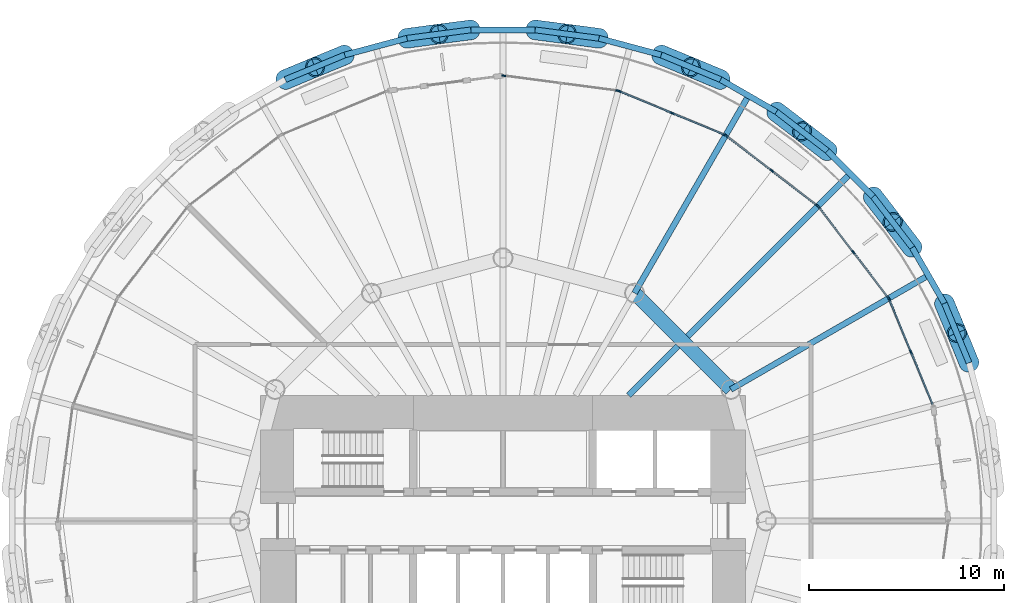
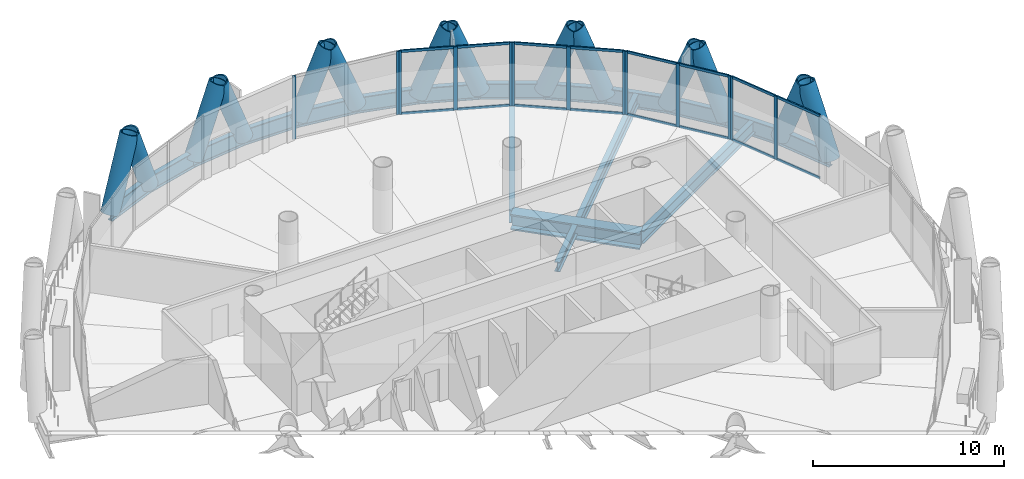
# One storey, part 7 of 15: 43 members, 18 beams, 5 elements without a shape of their own.
"""IFC4 building model written with IfcOpenShell, lengths in metres."""

from ifc_helpers import new_model, si_unit, direction, frame, origin, origin_2d, place, context, subcontext, project, spatial, rectangle, hollow_circle, i_section, extrude, material, material_profile, profile_set, type_object, element, aggregate, save


model = new_model("IFC4")

# Units and contexts
model_context = context("Model", 3, precision=1e-05, world=origin(), true_north=direction((0.0, 1.0)))
body_context = subcontext(model_context, "Body", "Model", "MODEL_VIEW")
ifc_project = project(units=[si_unit("LENGTHUNIT", "METRE"), si_unit("AREAUNIT", "SQUARE_METRE"), si_unit("VOLUMEUNIT", "CUBIC_METRE"), si_unit("PLANEANGLEUNIT", "RADIAN"), si_unit("MASSUNIT", "GRAM", prefix="KILO")], contexts=[model_context])

# Site, building, storey
site_placement = place(None, origin())
site = spatial("IfcSite", under=ifc_project, at=site_placement, CompositionType="ELEMENT")
building_placement = place(site_placement, origin())
building = spatial("IfcBuilding", under=site, at=building_placement, Name="Qaws Media Tower", CompositionType="ELEMENT")
storey_placement = place(building_placement, frame((0.0, 0.0, 114.199951171875)))
storey = spatial("IfcBuildingStorey", under=building, at=storey_placement, Name="L25", CompositionType="ELEMENT", Elevation=114.199951171875)

# Curtain wall, members
ifc_material_1 = material(Name="Aluminium and clear glass", Category="aluminium")
curtain_wall_type = type_object("IfcCurtainWallType", Name="Unitised curtain wall CW-B", PredefinedType="NOTDEFINED", material=ifc_material_1)
curtain_wall_1_placement = place(storey_placement, origin())
curtain_wall_1 = element("IfcCurtainWall", 1, at=curtain_wall_1_placement, inside=storey, type_object=curtain_wall_type, Name="CWB curtain wall L25-02", PredefinedType="NOTDEFINED")
ifc_material_2 = material(Name="Aluminium mullion", Category="aluminium")
ifc_material_profile_1 = material_profile(ifc_material_2, rectangle(XDim=0.080078125, YDim=0.199951171875, at=origin_2d()), Name="80x200")
ifc_profile_set_1 = profile_set([ifc_material_profile_1], Name="Aluminium mullion")
member_type_1 = type_object("IfcMemberType", Name="Curtain wall mullion 80x200", PredefinedType="MULLION", material=ifc_profile_set_1)
member_1_placement = place(storey_placement, frame((80.929931640625, 58.66943359375, 0.0), z_axis=(0.0, 0.0, 1.0), x_axis=(-0.923879516448, -0.382683471145, 0.0)))
member_1 = element("IfcMember", 2, at=member_1_placement, type_object=member_type_1, Name="CWB mullion 2", PredefinedType="MULLION", context=body_context, shape_type="SweptSolid", body=[
    extrude(rectangle(XDim=0.080078125, YDim=0.199951171875, at=origin_2d()), origin(), (0.0, 0.0, 1.0), 4.0400390625),
])
member_2_placement = place(storey_placement, frame((79.803955078125, 61.387939453125, 0.0), z_axis=(0.0, 0.0, 1.0), x_axis=(-0.923879516448, -0.382683471145, 0.0)))
member_2 = element("IfcMember", 3, at=member_2_placement, type_object=member_type_1, Name="CWB mullion 3", PredefinedType="MULLION", context=body_context, shape_type="SweptSolid", body=[
    extrude(rectangle(XDim=0.080078125, YDim=0.199951171875, at=origin_2d()), origin(), (0.0, 0.0, 1.0), 4.0400390625),
])

curtain_wall_2_placement = place(storey_placement, origin())
curtain_wall_2 = element("IfcCurtainWall", 4, at=curtain_wall_2_placement, inside=storey, type_object=curtain_wall_type, Name="CWB curtain wall L25-03", PredefinedType="NOTDEFINED")
member_3_placement = place(storey_placement, frame((79.764404296875, 61.456787109375, 0.0), z_axis=(0.0, 0.0, 1.0), x_axis=(-0.79335338601, -0.608761369427, 0.0)))
member_3 = element("IfcMember", 5, at=member_3_placement, type_object=member_type_1, Name="CWB mullion 1", PredefinedType="MULLION", context=body_context, shape_type="SweptSolid", body=[
    extrude(rectangle(XDim=0.080078125, YDim=0.199951171875, at=origin_2d()), origin(), (0.0, 0.0, 1.0), 4.0400390625),
])
member_4_placement = place(storey_placement, frame((77.97314453125, 63.791259765625, 0.0), z_axis=(0.0, 0.0, 1.0), x_axis=(-0.79335338601, -0.608761369427, 0.0)))
member_4 = element("IfcMember", 6, at=member_4_placement, type_object=member_type_1, Name="CWB mullion 2", PredefinedType="MULLION", context=body_context, shape_type="SweptSolid", body=[
    extrude(rectangle(XDim=0.080078125, YDim=0.199951171875, at=origin_2d()), origin(), (0.0, 0.0, 1.0), 4.0400390625),
])
member_5_placement = place(storey_placement, frame((76.181640625, 66.125732421875, 0.0), z_axis=(0.0, 0.0, 1.0), x_axis=(-0.79335338601, -0.608761369427, 0.0)))
member_5 = element("IfcMember", 7, at=member_5_placement, type_object=member_type_1, Name="CWB mullion 3", PredefinedType="MULLION", context=body_context, shape_type="SweptSolid", body=[
    extrude(rectangle(XDim=0.080078125, YDim=0.199951171875, at=origin_2d()), origin(), (0.0, 0.0, 1.0), 4.0400390625),
])

curtain_wall_3_placement = place(storey_placement, origin())
curtain_wall_3 = element("IfcCurtainWall", 8, at=curtain_wall_3_placement, inside=storey, type_object=curtain_wall_type, Name="CWB curtain wall L25-04", PredefinedType="NOTDEFINED")
member_6_placement = place(storey_placement, frame((76.125732421875, 66.181640625, 0.0), z_axis=(0.0, 0.0, 1.0), x_axis=(-0.608761369427, -0.79335338601, 0.0)))
member_6 = element("IfcMember", 9, at=member_6_placement, type_object=member_type_1, Name="CWB mullion 1", PredefinedType="MULLION", context=body_context, shape_type="SweptSolid", body=[
    extrude(rectangle(XDim=0.080078125, YDim=0.199951171875, at=origin_2d()), origin(), (0.0, 0.0, 1.0), 4.0400390625),
])
member_7_placement = place(storey_placement, frame((73.791259765625, 67.97314453125, 0.0), z_axis=(0.0, 0.0, 1.0), x_axis=(-0.608761369427, -0.79335338601, 0.0)))
member_7 = element("IfcMember", 10, at=member_7_placement, type_object=member_type_1, Name="CWB mullion 2", PredefinedType="MULLION", context=body_context, shape_type="SweptSolid", body=[
    extrude(rectangle(XDim=0.080078125, YDim=0.199951171875, at=origin_2d()), origin(), (0.0, 0.0, 1.0), 4.0400390625),
])
member_8_placement = place(storey_placement, frame((71.456787109375, 69.764404296875, 0.0), z_axis=(0.0, 0.0, 1.0), x_axis=(-0.608761369427, -0.79335338601, 0.0)))
member_8 = element("IfcMember", 11, at=member_8_placement, type_object=member_type_1, Name="CWB mullion 3", PredefinedType="MULLION", context=body_context, shape_type="SweptSolid", body=[
    extrude(rectangle(XDim=0.080078125, YDim=0.199951171875, at=origin_2d()), origin(), (0.0, 0.0, 1.0), 4.0400390625),
])

curtain_wall_4_placement = place(storey_placement, origin())
curtain_wall_4 = element("IfcCurtainWall", 12, at=curtain_wall_4_placement, inside=storey, type_object=curtain_wall_type, Name="CWB curtain wall L25-05", PredefinedType="NOTDEFINED")
member_9_placement = place(storey_placement, frame((71.387939453125, 69.803955078125, 0.0), z_axis=(0.0, 0.0, 1.0), x_axis=(-0.382683471145, -0.923879516448, 0.0)))
member_9 = element("IfcMember", 13, at=member_9_placement, type_object=member_type_1, Name="CWB mullion 1", PredefinedType="MULLION", context=body_context, shape_type="SweptSolid", body=[
    extrude(rectangle(XDim=0.080078125, YDim=0.199951171875, at=origin_2d()), origin(), (0.0, 0.0, 1.0), 4.0400390625),
])
member_10_placement = place(storey_placement, frame((68.66943359375, 70.929931640625, 0.0), z_axis=(0.0, 0.0, 1.0), x_axis=(-0.382683471145, -0.923879516448, 0.0)))
member_10 = element("IfcMember", 14, at=member_10_placement, type_object=member_type_1, Name="CWB mullion 2", PredefinedType="MULLION", context=body_context, shape_type="SweptSolid", body=[
    extrude(rectangle(XDim=0.080078125, YDim=0.199951171875, at=origin_2d()), origin(), (0.0, 0.0, 1.0), 4.0400390625),
])
member_11_placement = place(storey_placement, frame((65.950927734375, 72.05615234375, 0.0), z_axis=(0.0, 0.0, 1.0), x_axis=(-0.382683471145, -0.923879516448, 0.0)))
member_11 = element("IfcMember", 15, at=member_11_placement, type_object=member_type_1, Name="CWB mullion 3", PredefinedType="MULLION", context=body_context, shape_type="SweptSolid", body=[
    extrude(rectangle(XDim=0.080078125, YDim=0.199951171875, at=origin_2d()), origin(), (0.0, 0.0, 1.0), 4.0400390625),
])

curtain_wall_5_placement = place(storey_placement, origin())
curtain_wall_5 = element("IfcCurtainWall", 16, at=curtain_wall_5_placement, inside=storey, type_object=curtain_wall_type, Name="CWB curtain wall L25-06", PredefinedType="NOTDEFINED")
member_12_placement = place(storey_placement, frame((65.874267578125, 72.07666015625, 0.0), z_axis=(0.0, 0.0, 1.0), x_axis=(-0.130526217674, -0.991444858023, 0.0)))
member_12 = element("IfcMember", 17, at=member_12_placement, type_object=member_type_1, Name="CWB mullion 1", PredefinedType="MULLION", context=body_context, shape_type="SweptSolid", body=[
    extrude(rectangle(XDim=0.080078125, YDim=0.199951171875, at=origin_2d()), origin(), (0.0, 0.0, 1.0), 4.0400390625),
])
member_13_placement = place(storey_placement, frame((60.03955078125, 72.8447265625, 0.0), z_axis=(0.0, 0.0, 1.0), x_axis=(-0.130526217674, -0.991444858023, 0.0)))
member_13 = element("IfcMember", 18, at=member_13_placement, type_object=member_type_1, Name="CWB mullion 3", PredefinedType="MULLION", context=body_context, shape_type="SweptSolid", body=[
    extrude(rectangle(XDim=0.080078125, YDim=0.199951171875, at=origin_2d()), origin(), (0.0, 0.0, 1.0), 4.0400390625),
])
aggregate(curtain_wall_5, [member_12, member_13])

# Member
ifc_material_3 = material(Name="Aluminium transom", Category="aluminium")
ifc_material_profile_2 = material_profile(ifc_material_3, rectangle(XDim=0.080078125, YDim=0.159912109375, at=origin_2d()), Name="80x160")
ifc_profile_set_2 = profile_set([ifc_material_profile_2], Name="Aluminium transom")
member_type_2 = type_object("IfcMemberType", Name="Curtain wall transom 80x160", PredefinedType="USERDEFINED", material=ifc_profile_set_2)
member_14_placement = place(storey_placement, frame((82.040771484375, 55.988037109375, 0.0400390625), z_axis=(-0.382700809207, 0.923872334596, 0.0), x_axis=(-0.923872334596, -0.382700809207, 0.0)))
member_14 = element("IfcMember", 19, at=member_14_placement, type_object=member_type_2, Name="CWB transom 1.1", ObjectType="TRANSOM", PredefinedType="USERDEFINED", context=body_context, shape_type="SweptSolid", body=[
    extrude(rectangle(XDim=0.080078125, YDim=0.159912109375, at=origin_2d()), origin(), (0.0, 0.0, 1.0), 2.862548828125),
])

member_15_placement = place(storey_placement, frame((82.040771484375, 55.988037109375, 4.0), z_axis=(-0.382700809207, 0.923872334596, 0.0), x_axis=(-0.923872334596, -0.382700809207, 0.0)))
member_15 = element("IfcMember", 20, at=member_15_placement, type_object=member_type_2, Name="CWB transom 1.2", ObjectType="TRANSOM", PredefinedType="USERDEFINED", context=body_context, shape_type="SweptSolid", body=[
    extrude(rectangle(XDim=0.080078125, YDim=0.159912109375, at=origin_2d()), origin(), (0.0, 0.0, 1.0), 2.862548828125),
])

member_16_placement = place(storey_placement, frame((80.914794921875, 58.70654296875, 0.0400390625), z_axis=(-0.382700809207, 0.923872334596, 0.0), x_axis=(-0.923872334596, -0.382700809207, 0.0)))
member_16 = element("IfcMember", 21, at=member_16_placement, type_object=member_type_2, Name="CWB transom 2.1", ObjectType="TRANSOM", PredefinedType="USERDEFINED", context=body_context, shape_type="SweptSolid", body=[
    extrude(rectangle(XDim=0.080078125, YDim=0.159912109375, at=origin_2d()), origin(), (0.0, 0.0, 1.0), 2.862548828125),
])

member_17_placement = place(storey_placement, frame((80.914794921875, 58.70654296875, 4.0), z_axis=(-0.382700809207, 0.923872334596, 0.0), x_axis=(-0.923872334596, -0.382700809207, 0.0)))
member_17 = element("IfcMember", 22, at=member_17_placement, type_object=member_type_2, Name="CWB transom 2.2", ObjectType="TRANSOM", PredefinedType="USERDEFINED", context=body_context, shape_type="SweptSolid", body=[
    extrude(rectangle(XDim=0.080078125, YDim=0.159912109375, at=origin_2d()), origin(), (0.0, 0.0, 1.0), 2.862548828125),
])

aggregate(curtain_wall_1, [member_1, member_2, member_14, member_15, member_16, member_17])

member_18_placement = place(storey_placement, frame((79.739990234375, 61.488525390625, 0.0400390625), z_axis=(-0.608778840543, 0.793339979648, 0.0), x_axis=(-0.793339979648, -0.608778840543, 0.0)))
member_18 = element("IfcMember", 23, at=member_18_placement, type_object=member_type_2, Name="CWB transom 1.1", ObjectType="TRANSOM", PredefinedType="USERDEFINED", context=body_context, shape_type="SweptSolid", body=[
    extrude(rectangle(XDim=0.080078125, YDim=0.159912109375, at=origin_2d()), origin(), (0.0, 0.0, 1.0), 2.862548828125),
])

member_19_placement = place(storey_placement, frame((79.739990234375, 61.488525390625, 4.0), z_axis=(-0.608778840543, 0.793339979648, 0.0), x_axis=(-0.793339979648, -0.608778840543, 0.0)))
member_19 = element("IfcMember", 24, at=member_19_placement, type_object=member_type_2, Name="CWB transom 1.2", ObjectType="TRANSOM", PredefinedType="USERDEFINED", context=body_context, shape_type="SweptSolid", body=[
    extrude(rectangle(XDim=0.080078125, YDim=0.159912109375, at=origin_2d()), origin(), (0.0, 0.0, 1.0), 2.862548828125),
])

member_20_placement = place(storey_placement, frame((77.94873046875, 63.822998046875, 0.0400390625), z_axis=(-0.608778840543, 0.793339979648, 0.0), x_axis=(-0.793339979648, -0.608778840543, 0.0)))
member_20 = element("IfcMember", 25, at=member_20_placement, type_object=member_type_2, Name="CWB transom 2.1", ObjectType="TRANSOM", PredefinedType="USERDEFINED", context=body_context, shape_type="SweptSolid", body=[
    extrude(rectangle(XDim=0.080078125, YDim=0.159912109375, at=origin_2d()), origin(), (0.0, 0.0, 1.0), 2.862548828125),
])

member_21_placement = place(storey_placement, frame((77.94873046875, 63.822998046875, 4.0), z_axis=(-0.608778840543, 0.793339979648, 0.0), x_axis=(-0.793339979648, -0.608778840543, 0.0)))
member_21 = element("IfcMember", 26, at=member_21_placement, type_object=member_type_2, Name="CWB transom 2.2", ObjectType="TRANSOM", PredefinedType="USERDEFINED", context=body_context, shape_type="SweptSolid", body=[
    extrude(rectangle(XDim=0.080078125, YDim=0.159912109375, at=origin_2d()), origin(), (0.0, 0.0, 1.0), 2.862548828125),
])

aggregate(curtain_wall_2, [member_3, member_4, member_5, member_18, member_19, member_20, member_21])

member_22_placement = place(storey_placement, frame((76.093994140625, 66.2060546875, 0.0400390625), z_axis=(-0.793339979648, 0.608778840543, 0.0), x_axis=(-0.608778840543, -0.793339979648, 0.0)))
member_22 = element("IfcMember", 27, at=member_22_placement, type_object=member_type_2, Name="CWB transom 1.1", ObjectType="TRANSOM", PredefinedType="USERDEFINED", context=body_context, shape_type="SweptSolid", body=[
    extrude(rectangle(XDim=0.080078125, YDim=0.159912109375, at=origin_2d()), origin(), (0.0, 0.0, 1.0), 2.862548828125),
])

member_23_placement = place(storey_placement, frame((76.093994140625, 66.2060546875, 4.0), z_axis=(-0.793339979648, 0.608778840543, 0.0), x_axis=(-0.608778840543, -0.793339979648, 0.0)))
member_23 = element("IfcMember", 28, at=member_23_placement, type_object=member_type_2, Name="CWB transom 1.2", ObjectType="TRANSOM", PredefinedType="USERDEFINED", context=body_context, shape_type="SweptSolid", body=[
    extrude(rectangle(XDim=0.080078125, YDim=0.159912109375, at=origin_2d()), origin(), (0.0, 0.0, 1.0), 2.862548828125),
])

member_24_placement = place(storey_placement, frame((73.759521484375, 67.997314453125, 0.0400390625), z_axis=(-0.793339979648, 0.608778840543, 0.0), x_axis=(-0.608778840543, -0.793339979648, 0.0)))
member_24 = element("IfcMember", 29, at=member_24_placement, type_object=member_type_2, Name="CWB transom 2.1", ObjectType="TRANSOM", PredefinedType="USERDEFINED", context=body_context, shape_type="SweptSolid", body=[
    extrude(rectangle(XDim=0.080078125, YDim=0.159912109375, at=origin_2d()), origin(), (0.0, 0.0, 1.0), 2.862548828125),
])

member_25_placement = place(storey_placement, frame((73.759521484375, 67.997314453125, 4.0), z_axis=(-0.793339979648, 0.608778840543, 0.0), x_axis=(-0.608778840543, -0.793339979648, 0.0)))
member_25 = element("IfcMember", 30, at=member_25_placement, type_object=member_type_2, Name="CWB transom 2.2", ObjectType="TRANSOM", PredefinedType="USERDEFINED", context=body_context, shape_type="SweptSolid", body=[
    extrude(rectangle(XDim=0.080078125, YDim=0.159912109375, at=origin_2d()), origin(), (0.0, 0.0, 1.0), 2.862548828125),
])

aggregate(curtain_wall_3, [member_6, member_7, member_8, member_22, member_23, member_24, member_25])

member_26_placement = place(storey_placement, frame((71.35107421875, 69.8193359375, 0.0400390625), z_axis=(-0.923872334596, 0.382700809207, 0.0), x_axis=(-0.382700809207, -0.923872334596, 0.0)))
member_26 = element("IfcMember", 31, at=member_26_placement, type_object=member_type_2, Name="CWB transom 1.1", ObjectType="TRANSOM", PredefinedType="USERDEFINED", context=body_context, shape_type="SweptSolid", body=[
    extrude(rectangle(XDim=0.080078125, YDim=0.159912109375, at=origin_2d()), origin(), (0.0, 0.0, 1.0), 2.862548828125),
])

member_27_placement = place(storey_placement, frame((71.35107421875, 69.8193359375, 4.0), z_axis=(-0.923872334596, 0.382700809207, 0.0), x_axis=(-0.382700809207, -0.923872334596, 0.0)))
member_27 = element("IfcMember", 32, at=member_27_placement, type_object=member_type_2, Name="CWB transom 1.2", ObjectType="TRANSOM", PredefinedType="USERDEFINED", context=body_context, shape_type="SweptSolid", body=[
    extrude(rectangle(XDim=0.080078125, YDim=0.159912109375, at=origin_2d()), origin(), (0.0, 0.0, 1.0), 2.862548828125),
])

member_28_placement = place(storey_placement, frame((68.632568359375, 70.9453125, 0.0400390625), z_axis=(-0.923872334596, 0.382700809207, 0.0), x_axis=(-0.382700809207, -0.923872334596, 0.0)))
member_28 = element("IfcMember", 33, at=member_28_placement, type_object=member_type_2, Name="CWB transom 2.1", ObjectType="TRANSOM", PredefinedType="USERDEFINED", context=body_context, shape_type="SweptSolid", body=[
    extrude(rectangle(XDim=0.080078125, YDim=0.159912109375, at=origin_2d()), origin(), (0.0, 0.0, 1.0), 2.862548828125),
])

member_29_placement = place(storey_placement, frame((68.632568359375, 70.9453125, 4.0), z_axis=(-0.923872334596, 0.382700809207, 0.0), x_axis=(-0.382700809207, -0.923872334596, 0.0)))
member_29 = element("IfcMember", 34, at=member_29_placement, type_object=member_type_2, Name="CWB transom 2.2", ObjectType="TRANSOM", PredefinedType="USERDEFINED", context=body_context, shape_type="SweptSolid", body=[
    extrude(rectangle(XDim=0.080078125, YDim=0.159912109375, at=origin_2d()), origin(), (0.0, 0.0, 1.0), 2.862548828125),
])

aggregate(curtain_wall_4, [member_9, member_10, member_11, member_26, member_27, member_28, member_29])

# Members
ifc_material_4 = material(Name="Steel S460", Category="steel")
ifc_material_profile_3 = material_profile(ifc_material_4, hollow_circle(Radius=0.508056640625, WallThickness=0.070068359375, at=origin_2d()), Name="CHS 1016x70")
ifc_profile_set_3 = profile_set([ifc_material_profile_3], Name="Steel S460")
member_type_3 = type_object("IfcMemberType", Name="Diagrid member CHS 1016x70", PredefinedType="USERDEFINED", material=ifc_profile_set_3)
for number, where, z_axis, x_axis, name in (
    (35, (83.909912109375, 58.116455078125, -0.6640625), (-0.139188290236, 0.338368735106, 0.930662784774), (-0.924812769409, -0.380422582844, 0.0), "DG3 diagrid L25 A02"),
    (36, (80.99462890625, 64.028076171875, -0.6640625), (-0.22205715158, 0.290865116698, 0.930638547085), (-0.794844296528, -0.606813434489, 0.0), "DG3 diagrid L25 A03"),
    (37, (82.64599609375, 61.167724609375, -0.6640625), (0.140863091213, -0.337714392643, 0.930648472054), (0.922932522348, 0.384961763286, 0.0), "DG3 diagrid L25 B03"),
    (38, (76.6484375, 68.98388671875, -0.6640625), (-0.289733908124, 0.223467284253, 0.930653875161), (-0.610731952352, -0.791837409053, 0.0), "DG3 diagrid L25 A04"),
    (39, (78.98388671875, 66.6484375, -0.6640625), (0.223467284253, -0.289733908124, 0.930653875161), (0.791837409053, 0.610731952352, 0.0), "DG3 diagrid L25 B04"),
    (40, (71.167724609375, 72.64599609375, -0.6640625), (-0.337714392643, 0.140863091213, 0.930648472054), (-0.384961763286, -0.922932522348, 0.0), "DG3 diagrid L25 A05"),
    (41, (74.028076171875, 70.99462890625, -0.6640625), (0.290865116698, -0.22205715158, 0.930638547085), (0.606813434489, 0.794844296528, 0.0), "DG3 diagrid L25 B05"),
    (42, (64.926025390625, 74.764892578125, -0.6640625), (-0.362654284432, 0.048631593333, 0.930653984095), (-0.13290934524, -0.991128198543, 0.0), "DG3 diagrid L25 A06"),
    (43, (68.116455078125, 73.909912109375, -0.6640625), (0.338368735106, -0.139188290236, 0.930662784774), (0.380422582844, 0.924812769409, 0.0), "DG3 diagrid L25 B06"),
    (44, (58.3486328125, 75.196044921875, -0.6640625), (-0.362919156842, -0.046899822475, 0.930639614593), (0.128163642951, -0.991753034089, 0.0), "DG3 diagrid L25 A07"),
    (45, (61.6513671875, 75.196044921875, -0.6640625), (0.362919156842, -0.046899822475, 0.930639614593), (0.128163642951, 0.991753034089, 0.0), "DG3 diagrid L25 B07"),
    (46, (51.883544921875, 73.909912109375, -0.6640625), (-0.338368735106, -0.139188290236, 0.930662784774), (0.380422582844, -0.924812769409, 0.0), "DG3 diagrid L25 A08"),
    (47, (55.073974609375, 74.764892578125, -0.6640625), (0.362654284432, 0.048631593333, 0.930653984095), (-0.13290934524, 0.991128198543, 0.0), "DG3 diagrid L25 B08"),
    (48, (48.832275390625, 72.64599609375, -0.6640625), (0.337714392643, 0.140863091213, 0.930648472054), (-0.384961763286, 0.922932522348, 0.0), "DG3 diagrid L25 B09"),
):
    element("IfcMember", number, at=place(storey_placement, frame(where, z_axis=z_axis, x_axis=x_axis)), inside=storey, type_object=member_type_3, Name=name, ObjectType="DIAGRID", PredefinedType="USERDEFINED", context=body_context, shape_type="SweptSolid", body=[
        extrude(hollow_circle(Radius=0.508056640625, WallThickness=0.070068359375, at=origin_2d()), origin(), (0.0, 0.0, 1.0), 4.51318359375),
    ])

# Beams
ifc_material_5 = material(Name="Steel S460", Category="steel")
ifc_material_profile_4 = material_profile(ifc_material_5, i_section(OverallWidth=0.302001953125, OverallDepth=1.008056640625, WebThickness=0.02099609375, FlangeThickness=0.0400390625, FilletRadius=0.030029296875, at=origin_2d()), Name="HE 1000 M")
ifc_profile_set_4 = profile_set([ifc_material_profile_4], Name="Steel S460")
beam_type_1 = type_object("IfcBeamType", Name="Edge ring beam HE 1000 M", PredefinedType="BEAM", material=ifc_profile_set_4)
for number, where, z_axis, x_axis, name in (
    (49, (83.909912109375, 58.116455078125, -0.6640625), (-0.382693458177, 0.92387537962, 0.0), (-0.92387537962, -0.382693458177, 0.0), "RB3 edge ring beam L25-03"),
    (50, (82.64599609375, 61.167724609375, -0.6640625), (-0.499986929959, 0.866032949645, 0.0), (-0.866032949645, -0.499986929959, 0.0), "RB3 edge ring beam L25-04"),
):
    element("IfcBeam", number, at=place(storey_placement, frame(where, z_axis=z_axis, x_axis=x_axis)), inside=storey, type_object=beam_type_1, Name=name, PredefinedType="BEAM", context=body_context, shape_type="SweptSolid", body=[
        extrude(i_section(OverallWidth=0.302001953125, OverallDepth=1.008056640625, WebThickness=0.02099609375, FlangeThickness=0.0400390625, FilletRadius=0.030029296875, at=origin_2d()), origin(), (0.0, 0.0, 1.0), 3.302734375),
    ])
beam_1_placement = place(storey_placement, frame((80.99462890625, 64.028076171875, -0.6640625), z_axis=(-0.608774429392, 0.793343364577, 0.0), x_axis=(-0.793343364577, -0.608774429392, 0.0)))
element("IfcBeam", 51, at=beam_1_placement, inside=storey, type_object=beam_type_1, Name="RB3 edge ring beam L25-05", PredefinedType="BEAM", context=body_context, shape_type="SweptSolid", body=[
    extrude(i_section(OverallWidth=0.302001953125, OverallDepth=1.008056640625, WebThickness=0.02099609375, FlangeThickness=0.0400390625, FilletRadius=0.030029296875, at=origin_2d()), origin(), (0.0, 0.0, 1.0), 3.302978515625),
])
beam_2_placement = place(storey_placement, frame((78.98388671875, 66.6484375, -0.6640625), z_axis=(-0.707106781187, 0.707106781187, 0.0), x_axis=(-0.707106781187, -0.707106781187, 0.0)))
element("IfcBeam", 52, at=beam_2_placement, inside=storey, type_object=beam_type_1, Name="RB3 edge ring beam L25-06", PredefinedType="BEAM", context=body_context, shape_type="SweptSolid", body=[
    extrude(i_section(OverallWidth=0.302001953125, OverallDepth=1.008056640625, WebThickness=0.02099609375, FlangeThickness=0.0400390625, FilletRadius=0.030029296875, at=origin_2d()), origin(), (0.0, 0.0, 1.0), 3.302734375),
])
beam_3_placement = place(storey_placement, frame((76.6484375, 68.98388671875, -0.6640625), z_axis=(-0.793343364577, 0.608774429392, 0.0), x_axis=(-0.608774429392, -0.793343364577, 0.0)))
element("IfcBeam", 53, at=beam_3_placement, inside=storey, type_object=beam_type_1, Name="RB3 edge ring beam L25-07", PredefinedType="BEAM", context=body_context, shape_type="SweptSolid", body=[
    extrude(i_section(OverallWidth=0.302001953125, OverallDepth=1.008056640625, WebThickness=0.02099609375, FlangeThickness=0.0400390625, FilletRadius=0.030029296875, at=origin_2d()), origin(), (0.0, 0.0, 1.0), 3.302978515625),
])
for number, where, z_axis, x_axis, name in (
    (54, (74.028076171875, 70.99462890625, -0.6640625), (-0.866032949645, 0.499986929959, 0.0), (-0.499986929959, -0.866032949645, 0.0), "RB3 edge ring beam L25-08"),
    (55, (71.167724609375, 72.64599609375, -0.6640625), (-0.92387537962, 0.382693458177, 0.0), (-0.382693458177, -0.92387537962, 0.0), "RB3 edge ring beam L25-09"),
):
    element("IfcBeam", number, at=place(storey_placement, frame(where, z_axis=z_axis, x_axis=x_axis)), inside=storey, type_object=beam_type_1, Name=name, PredefinedType="BEAM", context=body_context, shape_type="SweptSolid", body=[
        extrude(i_section(OverallWidth=0.302001953125, OverallDepth=1.008056640625, WebThickness=0.02099609375, FlangeThickness=0.0400390625, FilletRadius=0.030029296875, at=origin_2d()), origin(), (0.0, 0.0, 1.0), 3.302734375),
    ])
for number, where, z_axis, x_axis, name in (
    (56, (68.116455078125, 73.909912109375, -0.6640625), (-0.965917696055, 0.258849385643, 0.0), (-0.258849385643, -0.965917696055, 0.0), "RB3 edge ring beam L25-10"),
    (57, (64.926025390625, 74.764892578125, -0.6640625), (-0.991443473841, 0.130536731142, 0.0), (-0.130536731142, -0.991443473841, 0.0), "RB3 edge ring beam L25-11"),
):
    element("IfcBeam", number, at=place(storey_placement, frame(where, z_axis=z_axis, x_axis=x_axis)), inside=storey, type_object=beam_type_1, Name=name, PredefinedType="BEAM", context=body_context, shape_type="SweptSolid", body=[
        extrude(i_section(OverallWidth=0.302001953125, OverallDepth=1.008056640625, WebThickness=0.02099609375, FlangeThickness=0.0400390625, FilletRadius=0.030029296875, at=origin_2d()), origin(), (0.0, 0.0, 1.0), 3.302978515625),
    ])
beam_4_placement = place(storey_placement, frame((61.6513671875, 75.196044921875, -0.6640625), z_axis=(-1.0, 0.0, 0.0), x_axis=(0.0, -1.0, 0.0)))
element("IfcBeam", 58, at=beam_4_placement, inside=storey, type_object=beam_type_1, Name="RB3 edge ring beam L25-12", PredefinedType="BEAM", context=body_context, shape_type="SweptSolid", body=[
    extrude(i_section(OverallWidth=0.302001953125, OverallDepth=1.008056640625, WebThickness=0.02099609375, FlangeThickness=0.0400390625, FilletRadius=0.030029296875, at=origin_2d()), origin(), (0.0, 0.0, 1.0), 3.302734375),
])
for number, where, z_axis, x_axis, name in (
    (59, (58.3486328125, 75.196044921875, -0.6640625), (-0.991443473841, -0.130536731142, 0.0), (0.130536731142, -0.991443473841, 0.0), "RB3 edge ring beam L25-13"),
    (60, (55.073974609375, 74.764892578125, -0.6640625), (-0.965917696055, -0.258849385643, 0.0), (0.258849385643, -0.965917696055, 0.0), "RB3 edge ring beam L25-14"),
):
    element("IfcBeam", number, at=place(storey_placement, frame(where, z_axis=z_axis, x_axis=x_axis)), inside=storey, type_object=beam_type_1, Name=name, PredefinedType="BEAM", context=body_context, shape_type="SweptSolid", body=[
        extrude(i_section(OverallWidth=0.302001953125, OverallDepth=1.008056640625, WebThickness=0.02099609375, FlangeThickness=0.0400390625, FilletRadius=0.030029296875, at=origin_2d()), origin(), (0.0, 0.0, 1.0), 3.302978515625),
    ])
beam_5_placement = place(storey_placement, frame((51.883544921875, 73.909912109375, -0.6640625), z_axis=(-0.92387537962, -0.382693458177, 0.0), x_axis=(0.382693458177, -0.92387537962, 0.0)))
element("IfcBeam", 61, at=beam_5_placement, inside=storey, type_object=beam_type_1, Name="RB3 edge ring beam L25-15", PredefinedType="BEAM", context=body_context, shape_type="SweptSolid", body=[
    extrude(i_section(OverallWidth=0.302001953125, OverallDepth=1.008056640625, WebThickness=0.02099609375, FlangeThickness=0.0400390625, FilletRadius=0.030029296875, at=origin_2d()), origin(), (0.0, 0.0, 1.0), 3.302734375),
])
ifc_material_6 = material(Name="Steel S460", Category="steel")
ifc_material_profile_5 = material_profile(ifc_material_6, i_section(OverallWidth=0.699951171875, OverallDepth=1.0, WebThickness=0.034912109375, FlangeThickness=0.090087890625, at=origin_2d()), Name="PG 1000x700")
ifc_profile_set_5 = profile_set([ifc_material_profile_5], Name="Steel S460")
beam_type_2 = type_object("IfcBeamType", Name="Inner ring girder PG 1000x700", PredefinedType="BEAM", material=ifc_profile_set_5)
beam_6_placement = place(storey_placement, frame((71.69140625, 56.75, -0.659912109375), z_axis=(-0.707106781187, 0.707106781187, 0.0), x_axis=(-0.707106781187, -0.707106781187, 0.0)))
element("IfcBeam", 62, at=beam_6_placement, inside=storey, type_object=beam_type_2, Name="B3 inner ring beam L25 I02-I03", PredefinedType="BEAM", context=body_context, shape_type="SweptSolid", body=[
    extrude(i_section(OverallWidth=0.699951171875, OverallDepth=1.0, WebThickness=0.034912109375, FlangeThickness=0.090087890625, at=origin_2d()), origin(), (0.0, 0.0, 1.0), 6.98828125),
])
ifc_material_7 = material(Name="Steel S355", Category="steel")
ifc_material_profile_6 = material_profile(ifc_material_7, i_section(OverallWidth=0.304931640625, OverallDepth=0.6201171875, WebThickness=0.02099609375, FlangeThickness=0.0400390625, FilletRadius=0.027099609375, at=origin_2d()), Name="HE 600 M")
ifc_profile_set_6 = profile_set([ifc_material_profile_6], Name="Steel S355")
beam_type_3 = type_object("IfcBeamType", Name="Radial beam HE 600 M, core side", PredefinedType="BEAM", material=ifc_profile_set_6)
beam_7_placement = place(storey_placement, frame((66.449951171875, 56.449951171875, -0.469970703125), z_axis=(0.707106781187, 0.707106781187, 0.0), x_axis=(-0.707106781187, 0.707106781187, 0.0)))
element("IfcBeam", 63, at=beam_7_placement, inside=storey, type_object=beam_type_3, Name="B2 radial beam L25 04", PredefinedType="BEAM", context=body_context, shape_type="SweptSolid", body=[
    extrude(i_section(OverallWidth=0.304931640625, OverallDepth=0.6201171875, WebThickness=0.02099609375, FlangeThickness=0.0400390625, FilletRadius=0.027099609375, at=origin_2d()), origin(), (0.0, 0.0, 1.0), 3.568359375),
])
ifc_material_8 = material(Name="Steel S355", Category="steel")
ifc_material_profile_7 = material_profile(ifc_material_8, i_section(OverallWidth=0.300048828125, OverallDepth=0.800048828125, WebThickness=0.017578125, FlangeThickness=0.032958984375, FilletRadius=0.030029296875, at=origin_2d()), Name="HE 800 B")
ifc_profile_set_7 = profile_set([ifc_material_profile_7], Name="Steel S355")
beam_type_4 = type_object("IfcBeamType", Name="Radial beam HE 800 B", PredefinedType="BEAM", material=ifc_profile_set_7)
beam_8_placement = place(storey_placement, frame((71.69140625, 56.75, -0.56005859375), z_axis=(0.866026379682, 0.499998309692, 0.0), x_axis=(-0.499998309692, 0.866026379682, 0.0)))
element("IfcBeam", 64, at=beam_8_placement, inside=storey, type_object=beam_type_4, Name="B1 radial beam L25 03", PredefinedType="BEAM", context=body_context, shape_type="SweptSolid", body=[
    extrude(i_section(OverallWidth=0.300048828125, OverallDepth=0.800048828125, WebThickness=0.017578125, FlangeThickness=0.032958984375, FilletRadius=0.030029296875, at=origin_2d()), origin(), (0.0, 0.0, 1.0), 11.69580078125),
])
beam_9_placement = place(storey_placement, frame((69.46826171875, 59.46826171875, -0.56005859375), z_axis=(0.707106781187, 0.707106781187, 0.0), x_axis=(-0.707106781187, 0.707106781187, 0.0)))
element("IfcBeam", 65, at=beam_9_placement, inside=storey, type_object=beam_type_4, Name="B1 radial beam L25 04", PredefinedType="BEAM", context=body_context, shape_type="SweptSolid", body=[
    extrude(i_section(OverallWidth=0.300048828125, OverallDepth=0.800048828125, WebThickness=0.017578125, FlangeThickness=0.032958984375, FilletRadius=0.030029296875, at=origin_2d()), origin(), (0.0, 0.0, 1.0), 11.8056640625),
])
beam_10_placement = place(storey_placement, frame((66.75, 61.69140625, -0.56005859375), z_axis=(0.499998309692, 0.866026379682, 0.0), x_axis=(-0.866026379682, 0.499998309692, 0.0)))
element("IfcBeam", 66, at=beam_10_placement, inside=storey, type_object=beam_type_4, Name="B1 radial beam L25 05", PredefinedType="BEAM", context=body_context, shape_type="SweptSolid", body=[
    extrude(i_section(OverallWidth=0.300048828125, OverallDepth=0.800048828125, WebThickness=0.017578125, FlangeThickness=0.032958984375, FilletRadius=0.030029296875, at=origin_2d()), origin(), (0.0, 0.0, 1.0), 11.69580078125),
])

save(model, "model.ifc")
